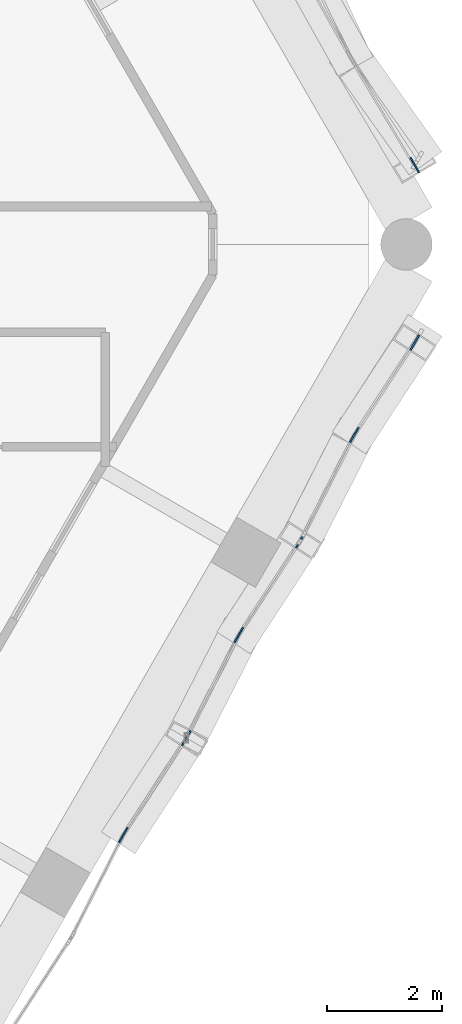
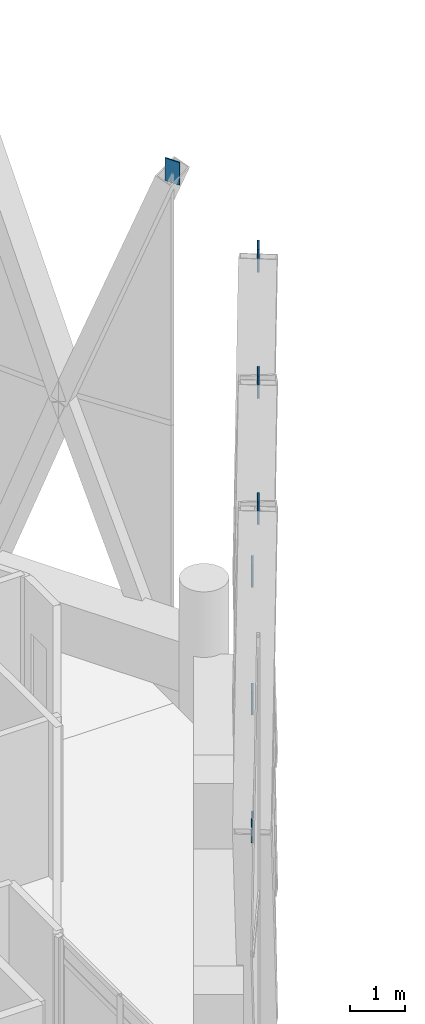
# One storey, part 34 of 37: 7 discrete accessories.
"""IFC4 building model written with IfcOpenShell, lengths in metres."""

from ifc_helpers import new_model, si_unit, direction, frame, origin, origin_2d, place, context, subcontext, project, spatial, rectangle, extrude, material, layer, layer_set, type_object, element, save


model = new_model("IFC4")

# Units and contexts
model_context = context("Model", 3, precision=1e-05, world=origin(), true_north=direction((0.0, 1.0)))
body_context = subcontext(model_context, "Body", "Model", "MODEL_VIEW")
ifc_project = project(units=[si_unit("LENGTHUNIT", "METRE"), si_unit("AREAUNIT", "SQUARE_METRE"), si_unit("VOLUMEUNIT", "CUBIC_METRE"), si_unit("PLANEANGLEUNIT", "RADIAN"), si_unit("MASSUNIT", "GRAM", prefix="KILO")], contexts=[model_context])

# Site, building, storey
site_placement = place(None, origin())
site = spatial("IfcSite", under=ifc_project, at=site_placement, CompositionType="ELEMENT")
building_placement = place(site_placement, origin())
building = spatial("IfcBuilding", under=site, at=building_placement, Name="Ostrander Bayou Hotel Tower", CompositionType="ELEMENT")
storey_placement = place(building_placement, frame((0.0, 0.0, 225.75)))
storey = spatial("IfcBuildingStorey", under=building, at=storey_placement, Name="L56", CompositionType="ELEMENT", Elevation=225.75)

# Discrete accessories
ifc_material = material(Name="Steel ASTM A572 Gr 50", Category="steel")
ifc_layer = layer(ifc_material, 0.030029296875)
ifc_layer_set = layer_set([ifc_layer], Name="GP1 gusset plate 30 mm")
discrete_accessory_type = type_object("IfcDiscreteAccessoryType", Name="GP1 gusset plate 30 mm", PredefinedType="BRACKET", material=ifc_layer_set)
for number, where, z_axis, x_axis, name in (
    (1, (14.11474609375, -10.478515625, 4.77490234375), (0.0, 0.0, 1.0), (0.5, 0.866025403784, 0.0), "GP1 gusset plate lat 365"),
    (2, (15.216064453125, -8.784912109375, 10.39990234375), (0.0, 0.0, 1.0), (0.5, 0.866025403784, 0.0), "GP1 gusset plate lat 366"),
    (3, (16.132080078125, -6.984619140625, 4.77490234375), (0.0, 0.0, 1.0), (0.5, 0.866025403784, 0.0), "GP1 gusset plate lat 367"),
    (4, (17.209716796875, -5.331787109375, 10.39990234375), (0.0, 0.0, 1.0), (0.5, 0.866025403784, 0.0), "GP1 gusset plate lat 368"),
    (5, (18.1494140625, -3.490478515625, 4.77490234375), (0.0, 0.0, 1.0), (0.5, 0.866025403784, 0.0), "GP1 gusset plate lat 369"),
    (6, (19.203369140625, -1.87890625, 10.39990234375), (0.0, 0.0, 1.0), (0.5, 0.866025403784, 0.0), "GP1 gusset plate lat 370"),
    (7, (19.203369140625, 1.22412109375, 10.39990234375), (0.0, 0.0, 1.0), (-0.5, 0.866025403784, 0.0), "GP1 gusset plate lat 372"),
):
    element("IfcDiscreteAccessory", number, at=place(storey_placement, frame(where, z_axis=z_axis, x_axis=x_axis)), inside=storey, type_object=discrete_accessory_type, Name=name, PredefinedType="BRACKET", context=body_context, shape_type="SweptSolid", body=[
        extrude(rectangle(XDim=0.300048828125, YDim=0.030029296875, at=origin_2d()), origin(), (0.0, 0.0, 1.0), 0.5),
    ])

save(model, "model.ifc")
